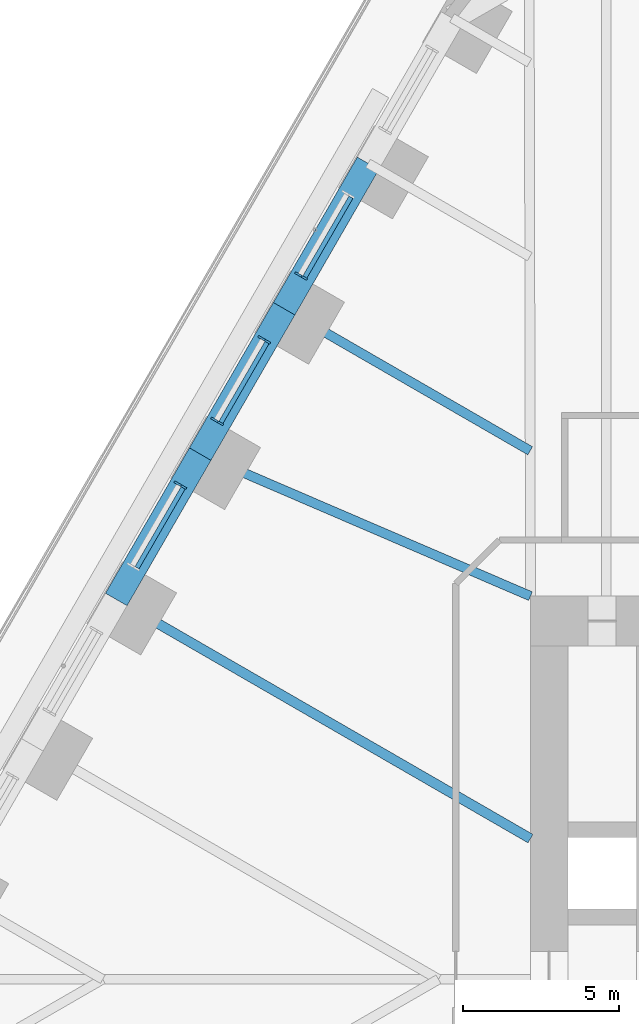
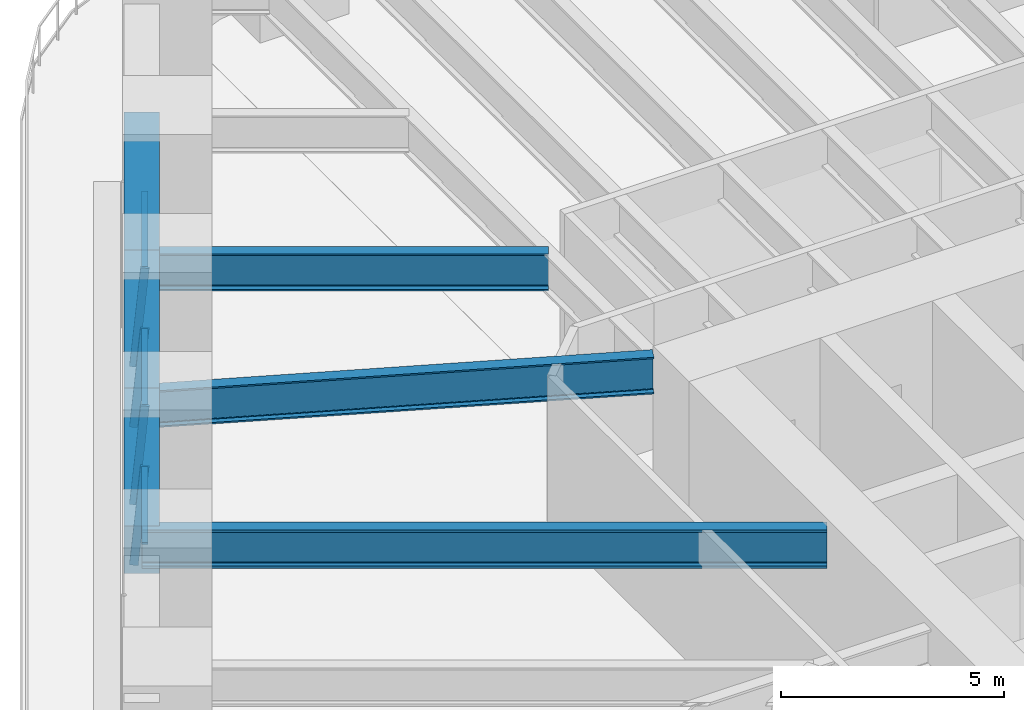
# One storey, part 8 of 23: 7 members, 6 beams, 3 elements without a shape of their own.
"""IFC4 building model written with IfcOpenShell, lengths in metres."""

from ifc_helpers import new_model, si_unit, direction, frame, origin, origin_2d, place, context, subcontext, project, spatial, rectangle, i_section, extrude, material, material_profile, profile_set, type_object, element, aggregate, save


model = new_model("IFC4")

# Units and contexts
model_context = context("Model", 3, precision=1e-05, world=origin(), true_north=direction((0.0, 1.0)))
body_context = subcontext(model_context, "Body", "Model", "MODEL_VIEW")
ifc_project = project(units=[si_unit("LENGTHUNIT", "METRE"), si_unit("AREAUNIT", "SQUARE_METRE"), si_unit("VOLUMEUNIT", "CUBIC_METRE"), si_unit("PLANEANGLEUNIT", "RADIAN"), si_unit("MASSUNIT", "GRAM", prefix="KILO")], contexts=[model_context])

# Site, building, storey
site_placement = place(None, origin())
site = spatial("IfcSite", under=ifc_project, at=site_placement, CompositionType="ELEMENT")
building_placement = place(site_placement, origin())
building = spatial("IfcBuilding", under=site, at=building_placement, Name="Tarfa Lantern Tower", CompositionType="ELEMENT")
storey_placement = place(building_placement, frame((0.0, 0.0, 36.10009765625)))
storey = spatial("IfcBuildingStorey", under=building, at=storey_placement, Name="L07", CompositionType="ELEMENT", Elevation=36.10009765625)

# Curtain wall, member
ifc_material_1 = material(Name="Aluminium framed curtain wall", Category="aluminium")
curtain_wall_type = type_object("IfcCurtainWallType", Name="CW1 CANTED GLAZING LOW ZONE 2700", PredefinedType="USERDEFINED", material=ifc_material_1)
curtain_wall_1_placement = place(storey_placement, origin())
curtain_wall_1 = element("IfcCurtainWall", 1, at=curtain_wall_1_placement, inside=storey, type_object=curtain_wall_type, Name="CW1 NW L07", ObjectType="CURTAIN WALL", PredefinedType="USERDEFINED")
ifc_material_2 = material(Name="Aluminium mullion", Category="aluminium")
ifc_material_profile_1 = material_profile(ifc_material_2, rectangle(XDim=0.06494140625, YDim=0.199951171875, at=origin_2d()), Name="AL MULLION 65x200")
ifc_profile_set_1 = profile_set([ifc_material_profile_1], Name="Aluminium mullion")
member_type_1 = type_object("IfcMemberType", Name="CWM1 MULLION 65x200", PredefinedType="MULLION", material=ifc_profile_set_1)
member_1_placement = place(storey_placement, frame((-26.07275390625, 22.640625, 0.0), z_axis=(0.07986442134, -0.046099868913, 0.99573916077), x_axis=(0.499919672301, 0.866071776036, 0.0)))
member_1 = element("IfcMember", 2, at=member_1_placement, type_object=member_type_1, Name="CW1 mullion 2", PredefinedType="MULLION", context=body_context, shape_type="SweptSolid", body=[
    extrude(rectangle(XDim=0.06494140625, YDim=0.199951171875, at=origin_2d()), origin(), (0.0, 0.0, 1.0), 2.71142578125),
])

# Curtain wall, members
curtain_wall_2_placement = place(storey_placement, origin())
curtain_wall_2 = element("IfcCurtainWall", 3, at=curtain_wall_2_placement, inside=storey, type_object=curtain_wall_type, Name="CW1 NW L07", ObjectType="CURTAIN WALL", PredefinedType="USERDEFINED")
member_2_placement = place(storey_placement, frame((-27.255126953125, 20.592529296875, 0.0), z_axis=(0.079774955866, -0.04610020023, 0.995746317068), x_axis=(0.500342721131, 0.865827443207, 0.0)))
member_2 = element("IfcMember", 4, at=member_2_placement, type_object=member_type_1, Name="CW1 mullion 1", PredefinedType="MULLION", context=body_context, shape_type="SweptSolid", body=[
    extrude(rectangle(XDim=0.06494140625, YDim=0.199951171875, at=origin_2d()), origin(), (0.0, 0.0, 1.0), 2.71142578125),
])
member_3_placement = place(storey_placement, frame((-28.76708984375, 17.97412109375, 0.0), z_axis=(0.07986442134, -0.046099868913, 0.99573916077), x_axis=(0.499919672301, 0.866071776036, 0.0)))
member_3 = element("IfcMember", 5, at=member_3_placement, type_object=member_type_1, Name="CW1 mullion 2", PredefinedType="MULLION", context=body_context, shape_type="SweptSolid", body=[
    extrude(rectangle(XDim=0.06494140625, YDim=0.199951171875, at=origin_2d()), origin(), (0.0, 0.0, 1.0), 2.71142578125),
])

# Curtain wall, member
curtain_wall_3_placement = place(storey_placement, origin())
curtain_wall_3 = element("IfcCurtainWall", 6, at=curtain_wall_3_placement, inside=storey, type_object=curtain_wall_type, Name="CW1 NW L07", ObjectType="CURTAIN WALL", PredefinedType="USERDEFINED")
member_4_placement = place(storey_placement, frame((-29.949462890625, 15.926025390625, 0.0), z_axis=(0.07986442134, -0.046099868913, 0.99573916077), x_axis=(0.499919672301, 0.866071776036, 0.0)))
member_4 = element("IfcMember", 7, at=member_4_placement, type_object=member_type_1, Name="CW1 mullion 1", PredefinedType="MULLION", context=body_context, shape_type="SweptSolid", body=[
    extrude(rectangle(XDim=0.06494140625, YDim=0.199951171875, at=origin_2d()), origin(), (0.0, 0.0, 1.0), 2.71142578125),
])

# Member
ifc_material_3 = material(Name="Aluminium transom", Category="aluminium")
ifc_material_profile_2 = material_profile(ifc_material_3, rectangle(XDim=0.14990234375, YDim=0.06494140625, at=origin_2d()), Name="AL TRANSOM 150x65")
ifc_profile_set_2 = profile_set([ifc_material_profile_2], Name="Aluminium transom")
member_type_2 = type_object("IfcMemberType", Name="CWT1 TRANSOM 150x65", PredefinedType="USERDEFINED", material=ifc_profile_set_2)
member_5_placement = place(storey_placement, frame((-24.36328125, 25.107666015625, 2.66748046875), z_axis=(-0.499981985492, -0.866035804215, 0.0), x_axis=(0.866035804215, -0.499981985492, 0.0)))
member_5 = element("IfcMember", 8, at=member_5_placement, type_object=member_type_2, Name="CW1 transom 1.2", ObjectType="TRANSOM", PredefinedType="USERDEFINED", context=body_context, shape_type="SweptSolid", body=[
    extrude(rectangle(XDim=0.14990234375, YDim=0.06494140625, at=origin_2d()), origin(), (0.0, 0.0, 1.0), 2.95849609375),
])

aggregate(curtain_wall_1, [member_1, member_5])

member_6_placement = place(storey_placement, frame((-27.0576171875, 20.44091796875, 2.66748046875), z_axis=(-0.499981985492, -0.866035804215, 0.0), x_axis=(0.866035804215, -0.499981985492, 0.0)))
member_6 = element("IfcMember", 9, at=member_6_placement, type_object=member_type_2, Name="CW1 transom 1.2", ObjectType="TRANSOM", PredefinedType="USERDEFINED", context=body_context, shape_type="SweptSolid", body=[
    extrude(rectangle(XDim=0.14990234375, YDim=0.06494140625, at=origin_2d()), origin(), (0.0, 0.0, 1.0), 2.95849609375),
])

aggregate(curtain_wall_2, [member_2, member_3, member_6])

member_7_placement = place(storey_placement, frame((-29.751953125, 15.774169921875, 2.66748046875), z_axis=(-0.500017718492, -0.866015173767, 0.0), x_axis=(0.866015173767, -0.500017718492, 0.0)))
member_7 = element("IfcMember", 10, at=member_7_placement, type_object=member_type_2, Name="CW1 transom 1.2", ObjectType="TRANSOM", PredefinedType="USERDEFINED", context=body_context, shape_type="SweptSolid", body=[
    extrude(rectangle(XDim=0.14990234375, YDim=0.06494140625, at=origin_2d()), origin(), (0.0, 0.0, 1.0), 2.95849609375),
])

aggregate(curtain_wall_3, [member_4, member_7])

# Beams
ifc_material_4 = material(Name="Concrete C80/95", Category="concrete")
ifc_material_profile_3 = material_profile(ifc_material_4, rectangle(XDim=0.800048828125, YDim=1.300048828125, at=origin_2d()), Name="RC 800x1300")
ifc_profile_set_3 = profile_set([ifc_material_profile_3], Name="Concrete C80/95")
beam_type_1 = type_object("IfcBeamType", Name="EB1 RC 800x1300", PredefinedType="SPANDREL", material=ifc_profile_set_3)
beam_1_placement = place(storey_placement, frame((-23.813720703125, 26.193359375, 3.349853515625), z_axis=(-0.499998287579, -0.866026392449, 0.0), x_axis=(0.866026392449, -0.499998287579, 0.0)))
element("IfcBeam", 11, at=beam_1_placement, inside=storey, type_object=beam_type_1, Name="Edge beam NW1", PredefinedType="SPANDREL", context=body_context, shape_type="SweptSolid", body=[
    extrude(rectangle(XDim=0.800048828125, YDim=1.300048828125, at=origin_2d()), origin(), (0.0, 0.0, 1.0), 5.388671875),
])
beam_2_placement = place(storey_placement, frame((-26.508056640625, 21.526611328125, 3.349853515625), z_axis=(-0.500017906299, -0.866015065331, 0.0), x_axis=(0.866015065331, -0.500017906299, 0.0)))
element("IfcBeam", 12, at=beam_2_placement, inside=storey, type_object=beam_type_1, Name="Edge beam NW2", PredefinedType="SPANDREL", context=body_context, shape_type="SweptSolid", body=[
    extrude(rectangle(XDim=0.800048828125, YDim=1.300048828125, at=origin_2d()), origin(), (0.0, 0.0, 1.0), 5.388427734375),
])
beam_3_placement = place(storey_placement, frame((-29.202392578125, 16.860107421875, 3.349853515625), z_axis=(-0.499998287579, -0.866026392449, 0.0), x_axis=(0.866026392449, -0.499998287579, 0.0)))
element("IfcBeam", 13, at=beam_3_placement, inside=storey, type_object=beam_type_1, Name="Edge beam NW3", PredefinedType="SPANDREL", context=body_context, shape_type="SweptSolid", body=[
    extrude(rectangle(XDim=0.800048828125, YDim=1.300048828125, at=origin_2d()), origin(), (0.0, 0.0, 1.0), 5.388671875),
])
ifc_material_5 = material(Name="Steel S460M", Category="steel")
ifc_material_profile_4 = material_profile(ifc_material_5, i_section(OverallWidth=0.302001953125, OverallDepth=1.008056640625, WebThickness=0.02099609375, FlangeThickness=0.0400390625, FilletRadius=0.030029296875, at=origin_2d()), Name="UB1016x305x349")
ifc_profile_set_4 = profile_set([ifc_material_profile_4], Name="Steel S460M")
beam_type_2 = type_object("IfcBeamType", Name="UB1016x305x349", PredefinedType="BEAM", material=ifc_profile_set_4)
beam_4_placement = place(storey_placement, frame((-26.508056640625, 21.526611328125, 3.495849609375), z_axis=(0.866035355799, -0.49998276221, 0.0), x_axis=(0.49998276221, 0.866035355799, 0.0)))
element("IfcBeam", 14, at=beam_4_placement, inside=storey, type_object=beam_type_2, Name="Floor beam NW2", PredefinedType="BEAM", context=body_context, shape_type="SweptSolid", body=[
    extrude(i_section(OverallWidth=0.302001953125, OverallDepth=1.008056640625, WebThickness=0.02099609375, FlangeThickness=0.0400390625, FilletRadius=0.030029296875, at=origin_2d()), origin(), (0.0, 0.0, 1.0), 9.119873046875),
])
beam_5_placement = place(storey_placement, frame((-29.202392578125, 16.860107421875, 3.495849609375), z_axis=(0.918635483867, -0.395106122175, 0.0), x_axis=(0.395106122175, 0.918635483867, 0.0)))
element("IfcBeam", 15, at=beam_5_placement, inside=storey, type_object=beam_type_2, Name="Floor beam NW3", PredefinedType="BEAM", context=body_context, shape_type="SweptSolid", body=[
    extrude(i_section(OverallWidth=0.302001953125, OverallDepth=1.008056640625, WebThickness=0.02099609375, FlangeThickness=0.0400390625, FilletRadius=0.030029296875, at=origin_2d()), origin(), (0.0, 0.0, 1.0), 11.541259765625),
])
ifc_material_profile_5 = material_profile(ifc_material_5, i_section(OverallWidth=0.314208984375, OverallDepth=1.055908203125, WebThickness=0.035888671875, FlangeThickness=0.06396484375, FilletRadius=0.030029296875, at=origin_2d()), Name="UB1016x305x584")
ifc_profile_set_5 = profile_set([ifc_material_profile_5], Name="Steel S460M")
beam_type_3 = type_object("IfcBeamType", Name="UB1016x305x584", PredefinedType="BEAM", material=ifc_profile_set_5)
beam_6_placement = place(storey_placement, frame((-31.896728515625, 12.193359375, 3.471923828125), z_axis=(0.866026971665, -0.499997284341, 0.0), x_axis=(0.499997284341, 0.866026971665, 0.0)))
element("IfcBeam", 16, at=beam_6_placement, inside=storey, type_object=beam_type_3, Name="Floor beam NW4", PredefinedType="BEAM", context=body_context, shape_type="SweptSolid", body=[
    extrude(i_section(OverallWidth=0.314208984375, OverallDepth=1.055908203125, WebThickness=0.035888671875, FlangeThickness=0.06396484375, FilletRadius=0.030029296875, at=origin_2d()), origin(), (0.0, 0.0, 1.0), 15.353515625),
])

save(model, "model.ifc")
